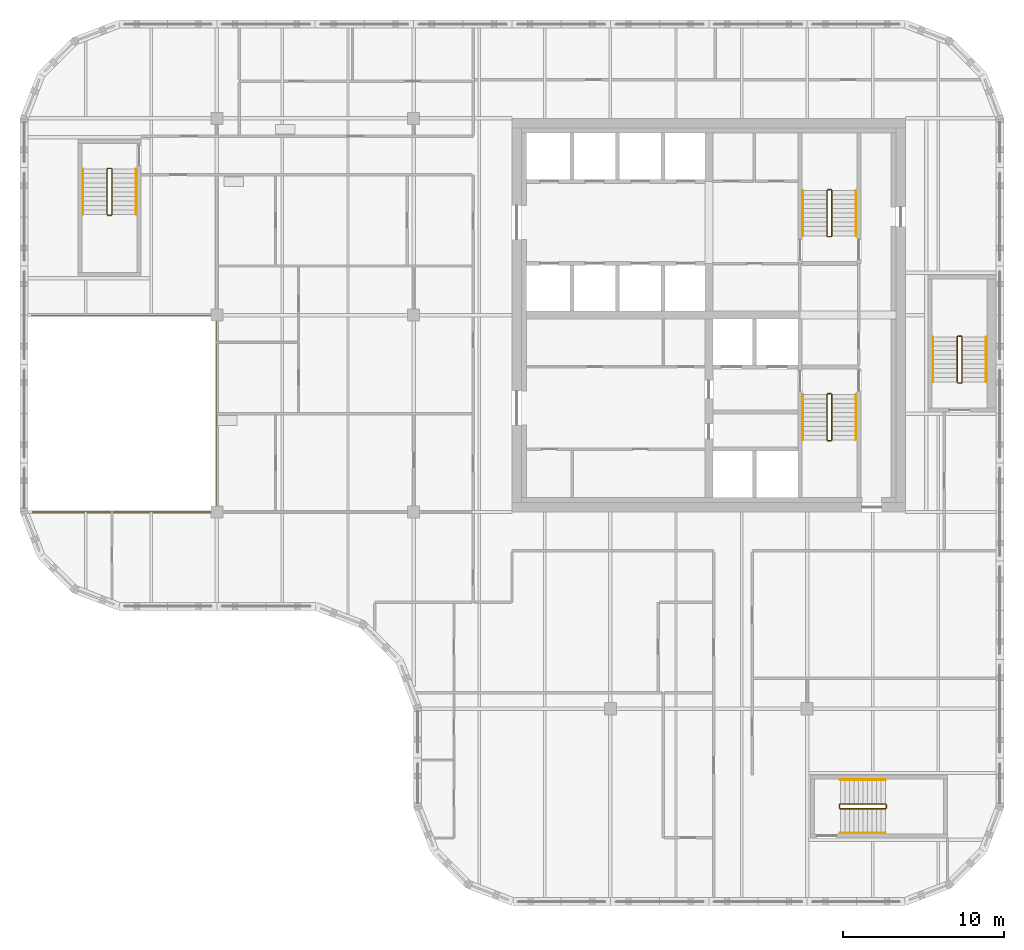
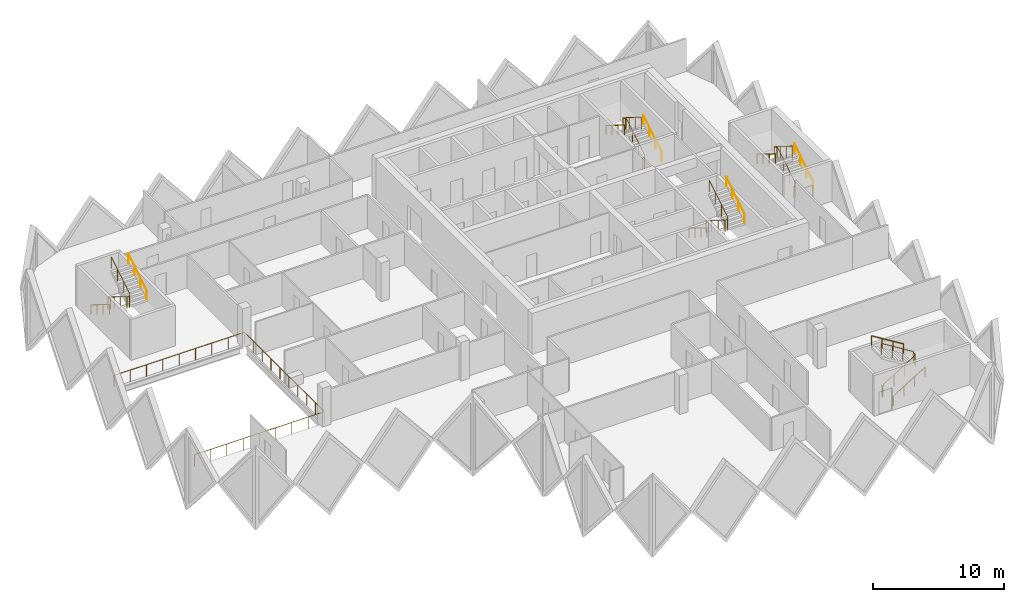
# One storey, part 11 of 12: 16 railings.
"""IFC4 building model written with IfcOpenShell, lengths in metres."""

from ifc_helpers import new_model, si_unit, direction, frame, origin, origin_2d, place, context, subcontext, project, spatial, circle, extrude, material, type_object, element, save


model = new_model("IFC4")

# Units and contexts
model_context = context("Model", 3, precision=1e-05, world=origin(), true_north=direction((0.0, 1.0)))
body_context = subcontext(model_context, "Body", "Model", "MODEL_VIEW")
ifc_project = project(units=[si_unit("LENGTHUNIT", "METRE"), si_unit("AREAUNIT", "SQUARE_METRE"), si_unit("VOLUMEUNIT", "CUBIC_METRE"), si_unit("PLANEANGLEUNIT", "RADIAN"), si_unit("MASSUNIT", "GRAM", prefix="KILO")], contexts=[model_context])

# Site, building, storey
site_placement = place(None, origin())
site = spatial("IfcSite", under=ifc_project, at=site_placement, CompositionType="ELEMENT")
building_placement = place(site_placement, origin())
building = spatial("IfcBuilding", under=site, at=building_placement, Name="Tessera Gate Towers", CompositionType="ELEMENT")
storey_placement = place(building_placement, frame((0.0, 0.0, 159.199951171875)))
storey = spatial("IfcBuildingStorey", under=building, at=storey_placement, Name="L39", CompositionType="ELEMENT", Elevation=159.199951171875)

# Railings
ifc_material_1 = material(Name="Toughened glass with stainless steel handrail", Category="steel")
railing_type_1 = type_object("IfcRailingType", Name="GUARD 1100 GLASS BALUSTRADE", PredefinedType="GUARDRAIL", material=ifc_material_1)
railing_1_placement = place(storey_placement, frame((0.750244140625, 24.39990234375, 0.0)))
element("IfcRailing", 1, at=railing_1_placement, inside=storey, type_object=railing_type_1, Name="Guard", PredefinedType="GUARDRAIL", context=body_context, shape_type="SweptSolid", body=[
    extrude(circle(Radius=0.02490234375, at=origin_2d()), frame((0.0, 0.0, 1.0751953125), z_axis=(1.0, 0.0, 0.0), x_axis=(0.0, 1.0, 0.0)), (0.0, 0.0, 1.0), 11.44970703125),
    extrude(circle(Radius=0.02490234375, at=origin_2d()), frame((11.44970703125, 0.0, 1.0751953125), z_axis=(0.0, 1.0, 0.0), x_axis=(-1.0, 0.0, 0.0)), (0.0, 0.0, 1.0), 12.2001953125),
    extrude(circle(Radius=0.02490234375, at=origin_2d()), frame((11.44970703125, 12.2001953125, 1.0751953125), z_axis=(-1.0, 0.0, 0.0), x_axis=(0.0, -1.0, 0.0)), (0.0, 0.0, 1.0), 11.5),
    extrude(circle(Radius=0.02490234375, at=origin_2d()), origin(), (0.0, 0.0, 1.0), 1.050048828125),
    extrude(circle(Radius=0.02490234375, at=origin_2d()), frame((1.43115234375, 0.0, 0.0)), (0.0, 0.0, 1.0), 1.050048828125),
    extrude(circle(Radius=0.02490234375, at=origin_2d()), frame((2.8623046875, 0.0, 0.0)), (0.0, 0.0, 1.0), 1.050048828125),
    extrude(circle(Radius=0.02490234375, at=origin_2d()), frame((4.293701171875, 0.0, 0.0)), (0.0, 0.0, 1.0), 1.050048828125),
    extrude(circle(Radius=0.02490234375, at=origin_2d()), frame((5.724853515625, 0.0, 0.0)), (0.0, 0.0, 1.0), 1.050048828125),
    extrude(circle(Radius=0.02490234375, at=origin_2d()), frame((7.156005859375, 0.0, 0.0)), (0.0, 0.0, 1.0), 1.050048828125),
    extrude(circle(Radius=0.02490234375, at=origin_2d()), frame((8.58740234375, 0.0, 0.0)), (0.0, 0.0, 1.0), 1.050048828125),
    extrude(circle(Radius=0.02490234375, at=origin_2d()), frame((10.0185546875, 0.0, 0.0)), (0.0, 0.0, 1.0), 1.050048828125),
    extrude(circle(Radius=0.02490234375, at=origin_2d()), frame((11.44970703125, 0.0, 0.0)), (0.0, 0.0, 1.0), 1.050048828125),
    extrude(circle(Radius=0.02490234375, at=origin_2d()), frame((11.44970703125, 1.35546875, 0.0)), (0.0, 0.0, 1.0), 1.050048828125),
    extrude(circle(Radius=0.02490234375, at=origin_2d()), frame((11.44970703125, 2.711181640625, 0.0)), (0.0, 0.0, 1.0), 1.050048828125),
    extrude(circle(Radius=0.02490234375, at=origin_2d()), frame((11.44970703125, 4.066650390625, 0.0)), (0.0, 0.0, 1.0), 1.050048828125),
    extrude(circle(Radius=0.02490234375, at=origin_2d()), frame((11.44970703125, 5.42236328125, 0.0)), (0.0, 0.0, 1.0), 1.050048828125),
    extrude(circle(Radius=0.02490234375, at=origin_2d()), frame((11.44970703125, 6.77783203125, 0.0)), (0.0, 0.0, 1.0), 1.050048828125),
    extrude(circle(Radius=0.02490234375, at=origin_2d()), frame((11.44970703125, 8.133544921875, 0.0)), (0.0, 0.0, 1.0), 1.050048828125),
    extrude(circle(Radius=0.02490234375, at=origin_2d()), frame((11.44970703125, 9.489013671875, 0.0)), (0.0, 0.0, 1.0), 1.050048828125),
    extrude(circle(Radius=0.02490234375, at=origin_2d()), frame((11.44970703125, 10.8447265625, 0.0)), (0.0, 0.0, 1.0), 1.050048828125),
    extrude(circle(Radius=0.02490234375, at=origin_2d()), frame((11.44970703125, 12.2001953125, 0.0)), (0.0, 0.0, 1.0), 1.050048828125),
    extrude(circle(Radius=0.02490234375, at=origin_2d()), frame((10.01220703125, 12.2001953125, 0.0)), (0.0, 0.0, 1.0), 1.050048828125),
    extrude(circle(Radius=0.02490234375, at=origin_2d()), frame((8.57470703125, 12.2001953125, 0.0)), (0.0, 0.0, 1.0), 1.050048828125),
    extrude(circle(Radius=0.02490234375, at=origin_2d()), frame((7.13720703125, 12.2001953125, 0.0)), (0.0, 0.0, 1.0), 1.050048828125),
    extrude(circle(Radius=0.02490234375, at=origin_2d()), frame((5.69970703125, 12.2001953125, 0.0)), (0.0, 0.0, 1.0), 1.050048828125),
    extrude(circle(Radius=0.02490234375, at=origin_2d()), frame((4.26220703125, 12.2001953125, 0.0)), (0.0, 0.0, 1.0), 1.050048828125),
    extrude(circle(Radius=0.02490234375, at=origin_2d()), frame((2.82470703125, 12.2001953125, 0.0)), (0.0, 0.0, 1.0), 1.050048828125),
    extrude(circle(Radius=0.02490234375, at=origin_2d()), frame((1.38720703125, 12.2001953125, 0.0)), (0.0, 0.0, 1.0), 1.050048828125),
    extrude(circle(Radius=0.02490234375, at=origin_2d()), frame((-0.05029296875, 12.2001953125, 0.0)), (0.0, 0.0, 1.0), 1.050048828125),
])
ifc_material_2 = material(Name="Steel 350W", Category="steel")
railing_type_2 = type_object("IfcRailingType", Name="STAIR GUARD 1100", PredefinedType="GUARDRAIL", material=ifc_material_2)
railing_2_placement = place(storey_placement, frame((50.27490234375, 31.72509765625, 0.0)))
element("IfcRailing", 2, at=railing_2_placement, inside=storey, type_object=railing_type_2, Name="L39 ST1 stair guard 1", PredefinedType="GUARDRAIL", context=body_context, shape_type="SweptSolid", body=[
    extrude(circle(Radius=0.02392578125, at=origin_2d()), frame((0.0, 0.0, 1.076171875), z_axis=(-1.0, 0.0, 0.0), x_axis=(0.0, -1.0, 0.0)), (0.0, 0.0, 1.0), 0.199951171875),
    extrude(circle(Radius=0.02392578125, at=origin_2d()), frame((-0.199951171875, 0.0, 1.076171875), z_axis=(-0.267953482034, -0.267953482034, 0.925419830635), x_axis=(0.707106781187, -0.707106781187, 0.0)), (0.0, 0.0, 1.0), 0.186767578125),
    extrude(circle(Radius=0.02392578125, at=origin_2d()), frame((-0.25, -0.050048828125, 1.2490234375), z_axis=(0.0, -0.851089632645, 0.525020415988), x_axis=(1.0, 0.0, 0.0)), (0.0, 0.0, 1.0), 3.2900390625),
    extrude(circle(Radius=0.02392578125, at=origin_2d()), frame((-0.25, -2.85009765625, 2.97607421875), z_axis=(0.707106781187, -0.707106781187, 0.0), x_axis=(0.707106781187, 0.707106781187, 0.0)), (0.0, 0.0, 1.0), 0.07080078125),
    extrude(circle(Radius=0.02392578125, at=origin_2d()), frame((-0.199951171875, -2.900146484375, 2.97607421875), z_axis=(1.0, 0.0, 0.0), x_axis=(0.0, 1.0, 0.0)), (0.0, 0.0, 1.0), 0.199951171875),
    extrude(circle(Radius=0.02392578125, at=origin_2d()), frame((0.0, -2.900146484375, 2.97607421875), z_axis=(0.268277960024, 0.268277960024, 0.925231793839), x_axis=(-0.707106781187, 0.707106781187, 0.0)), (0.0, 0.0, 1.0), 0.1865234375),
    extrude(circle(Radius=0.02392578125, at=origin_2d()), frame((0.050048828125, -2.85009765625, 3.14892578125), z_axis=(0.0, 0.851089632645, 0.525020415988), x_axis=(-1.0, 0.0, 0.0)), (0.0, 0.0, 1.0), 3.2900390625),
    extrude(circle(Radius=0.02099609375, at=origin_2d()), origin(), (0.0, 0.0, 1.0), 1.052001953125),
    extrude(circle(Radius=0.02099609375, at=origin_2d()), frame((-0.199951171875, 0.0, 0.0)), (0.0, 0.0, 1.0), 1.052001953125),
    extrude(circle(Radius=0.02099609375, at=origin_2d()), frame((-0.25, -0.050048828125, 0.1728515625)), (0.0, 0.0, 1.0), 1.052001953125),
    extrude(circle(Radius=0.02099609375, at=origin_2d()), frame((-0.25, -0.9833984375, 0.74853515625)), (0.0, 0.0, 1.0), 1.052001953125),
    extrude(circle(Radius=0.02099609375, at=origin_2d()), frame((-0.25, -1.916748046875, 1.324462890625)), (0.0, 0.0, 1.0), 1.052001953125),
    extrude(circle(Radius=0.02099609375, at=origin_2d()), frame((-0.25, -2.85009765625, 1.900146484375)), (0.0, 0.0, 1.0), 1.052001953125),
    extrude(circle(Radius=0.02099609375, at=origin_2d()), frame((-0.199951171875, -2.900146484375, 1.900146484375)), (0.0, 0.0, 1.0), 1.052001953125),
    extrude(circle(Radius=0.02099609375, at=origin_2d()), frame((0.0, -2.900146484375, 1.900146484375)), (0.0, 0.0, 1.0), 1.052001953125),
    extrude(circle(Radius=0.02099609375, at=origin_2d()), frame((0.050048828125, -2.85009765625, 2.07275390625)), (0.0, 0.0, 1.0), 1.052001953125),
    extrude(circle(Radius=0.02099609375, at=origin_2d()), frame((0.050048828125, -1.916748046875, 2.6484375)), (0.0, 0.0, 1.0), 1.052001953125),
    extrude(circle(Radius=0.02099609375, at=origin_2d()), frame((0.050048828125, -0.9833984375, 3.224365234375)), (0.0, 0.0, 1.0), 1.052001953125),
    extrude(circle(Radius=0.02099609375, at=origin_2d()), frame((0.050048828125, -0.050048828125, 3.800048828125)), (0.0, 0.0, 1.0), 1.052001953125),
])
railing_3_placement = place(storey_placement, frame((50.074951171875, 41.47509765625, 0.0)))
element("IfcRailing", 3, at=railing_3_placement, inside=storey, type_object=railing_type_2, Name="L39 ST2 stair guard 1", PredefinedType="GUARDRAIL", context=body_context, shape_type="SweptSolid", body=[
    extrude(circle(Radius=0.02392578125, at=origin_2d()), frame((0.0, 0.0, 1.076171875), z_axis=(1.0, 0.0, 0.0), x_axis=(0.0, 1.0, 0.0)), (0.0, 0.0, 1.0), 0.199951171875),
    extrude(circle(Radius=0.02392578125, at=origin_2d()), frame((0.199951171875, 0.0, 1.076171875), z_axis=(0.268047150085, 0.266739603011, 0.925743328097), x_axis=(-0.705375805398, 0.708833529934, 0.0)), (0.0, 0.0, 1.0), 0.186767578125),
    extrude(circle(Radius=0.02392578125, at=origin_2d()), frame((0.25, 0.0498046875, 1.2490234375), z_axis=(0.0, 0.851089632645, 0.525020415988), x_axis=(-1.0, 0.0, 0.0)), (0.0, 0.0, 1.0), 3.2900390625),
    extrude(circle(Radius=0.02392578125, at=origin_2d()), frame((0.25, 2.849853515625, 2.97607421875), z_axis=(-0.707106781187, 0.707106781187, 0.0), x_axis=(-0.707106781187, -0.707106781187, 0.0)), (0.0, 0.0, 1.0), 0.07080078125),
    extrude(circle(Radius=0.02392578125, at=origin_2d()), frame((0.199951171875, 2.89990234375, 2.97607421875), z_axis=(-1.0, 0.0, 0.0), x_axis=(0.0, -1.0, 0.0)), (0.0, 0.0, 1.0), 0.199951171875),
    extrude(circle(Radius=0.02392578125, at=origin_2d()), frame((0.0, 2.89990234375, 2.97607421875), z_axis=(-0.268277960024, -0.268277960024, 0.925231793839), x_axis=(0.707106781187, -0.707106781187, 0.0)), (0.0, 0.0, 1.0), 0.1865234375),
    extrude(circle(Radius=0.02392578125, at=origin_2d()), frame((-0.050048828125, 2.849853515625, 3.14892578125), z_axis=(0.0, -0.851089632645, 0.525020415988), x_axis=(1.0, 0.0, 0.0)), (0.0, 0.0, 1.0), 3.2900390625),
    extrude(circle(Radius=0.02099609375, at=origin_2d()), origin(), (0.0, 0.0, 1.0), 1.052001953125),
    extrude(circle(Radius=0.02099609375, at=origin_2d()), frame((0.199951171875, 0.0, 0.0)), (0.0, 0.0, 1.0), 1.052001953125),
    extrude(circle(Radius=0.02099609375, at=origin_2d()), frame((0.25, 0.0498046875, 0.1728515625)), (0.0, 0.0, 1.0), 1.052001953125),
    extrude(circle(Radius=0.02099609375, at=origin_2d()), frame((0.25, 0.983154296875, 0.74853515625)), (0.0, 0.0, 1.0), 1.052001953125),
    extrude(circle(Radius=0.02099609375, at=origin_2d()), frame((0.25, 1.91650390625, 1.324462890625)), (0.0, 0.0, 1.0), 1.052001953125),
    extrude(circle(Radius=0.02099609375, at=origin_2d()), frame((0.25, 2.849853515625, 1.900146484375)), (0.0, 0.0, 1.0), 1.052001953125),
    extrude(circle(Radius=0.02099609375, at=origin_2d()), frame((0.199951171875, 2.89990234375, 1.900146484375)), (0.0, 0.0, 1.0), 1.052001953125),
    extrude(circle(Radius=0.02099609375, at=origin_2d()), frame((0.0, 2.89990234375, 1.900146484375)), (0.0, 0.0, 1.0), 1.052001953125),
    extrude(circle(Radius=0.02099609375, at=origin_2d()), frame((-0.050048828125, 2.849853515625, 2.07275390625)), (0.0, 0.0, 1.0), 1.052001953125),
    extrude(circle(Radius=0.02099609375, at=origin_2d()), frame((-0.050048828125, 1.91650390625, 2.6484375)), (0.0, 0.0, 1.0), 1.052001953125),
    extrude(circle(Radius=0.02099609375, at=origin_2d()), frame((-0.050048828125, 0.983154296875, 3.224365234375)), (0.0, 0.0, 1.0), 1.052001953125),
    extrude(circle(Radius=0.02099609375, at=origin_2d()), frame((-0.050048828125, 0.0498046875, 3.800048828125)), (0.0, 0.0, 1.0), 1.052001953125),
])
railing_4_placement = place(storey_placement, frame((5.64990234375, 45.699951171875, 0.0)))
element("IfcRailing", 4, at=railing_4_placement, inside=storey, type_object=railing_type_2, Name="L39 ST3 stair guard 1", PredefinedType="GUARDRAIL", context=body_context, shape_type="SweptSolid", body=[
    extrude(circle(Radius=0.02392578125, at=origin_2d()), frame((0.0, 0.0, 1.076171875), z_axis=(-1.0, 0.0, 0.0), x_axis=(0.0, -1.0, 0.0)), (0.0, 0.0, 1.0), 0.199951171875),
    extrude(circle(Radius=0.02392578125, at=origin_2d()), frame((-0.199951171875, 0.0, 1.076171875), z_axis=(-0.267953482034, -0.267953482034, 0.925419830635), x_axis=(0.707106781187, -0.707106781187, 0.0)), (0.0, 0.0, 1.0), 0.186767578125),
    extrude(circle(Radius=0.02392578125, at=origin_2d()), frame((-0.25, -0.050048828125, 1.2490234375), z_axis=(0.0, -0.851069175582, 0.525053576669), x_axis=(1.0, 0.0, 0.0)), (0.0, 0.0, 1.0), 3.289794921875),
    extrude(circle(Radius=0.02392578125, at=origin_2d()), frame((-0.25, -2.849853515625, 2.97607421875), z_axis=(0.707106781187, -0.707106781187, 0.0), x_axis=(0.707106781187, 0.707106781187, 0.0)), (0.0, 0.0, 1.0), 0.07080078125),
    extrude(circle(Radius=0.02392578125, at=origin_2d()), frame((-0.199951171875, -2.89990234375, 2.97607421875), z_axis=(1.0, 0.0, 0.0), x_axis=(0.0, 1.0, 0.0)), (0.0, 0.0, 1.0), 0.199951171875),
    extrude(circle(Radius=0.02392578125, at=origin_2d()), frame((0.0, -2.89990234375, 2.97607421875), z_axis=(0.268277960024, 0.268277960024, 0.925231793839), x_axis=(-0.707106781187, 0.707106781187, 0.0)), (0.0, 0.0, 1.0), 0.1865234375),
    extrude(circle(Radius=0.02392578125, at=origin_2d()), frame((0.050048828125, -2.849853515625, 3.14892578125), z_axis=(0.0, 0.851069175582, 0.525053576669), x_axis=(-1.0, 0.0, 0.0)), (0.0, 0.0, 1.0), 3.289794921875),
    extrude(circle(Radius=0.02099609375, at=origin_2d()), origin(), (0.0, 0.0, 1.0), 1.052001953125),
    extrude(circle(Radius=0.02099609375, at=origin_2d()), frame((-0.199951171875, 0.0, 0.0)), (0.0, 0.0, 1.0), 1.052001953125),
    extrude(circle(Radius=0.02099609375, at=origin_2d()), frame((-0.25, -0.050048828125, 0.1728515625)), (0.0, 0.0, 1.0), 1.052001953125),
    extrude(circle(Radius=0.02099609375, at=origin_2d()), frame((-0.25, -0.9833984375, 0.74853515625)), (0.0, 0.0, 1.0), 1.052001953125),
    extrude(circle(Radius=0.02099609375, at=origin_2d()), frame((-0.25, -1.91650390625, 1.324462890625)), (0.0, 0.0, 1.0), 1.052001953125),
    extrude(circle(Radius=0.02099609375, at=origin_2d()), frame((-0.25, -2.849853515625, 1.900146484375)), (0.0, 0.0, 1.0), 1.052001953125),
    extrude(circle(Radius=0.02099609375, at=origin_2d()), frame((-0.199951171875, -2.89990234375, 1.900146484375)), (0.0, 0.0, 1.0), 1.052001953125),
    extrude(circle(Radius=0.02099609375, at=origin_2d()), frame((0.0, -2.89990234375, 1.900146484375)), (0.0, 0.0, 1.0), 1.052001953125),
    extrude(circle(Radius=0.02099609375, at=origin_2d()), frame((0.050048828125, -2.849853515625, 2.07275390625)), (0.0, 0.0, 1.0), 1.052001953125),
    extrude(circle(Radius=0.02099609375, at=origin_2d()), frame((0.050048828125, -1.91650390625, 2.6484375)), (0.0, 0.0, 1.0), 1.052001953125),
    extrude(circle(Radius=0.02099609375, at=origin_2d()), frame((0.050048828125, -0.9833984375, 3.224365234375)), (0.0, 0.0, 1.0), 1.052001953125),
    extrude(circle(Radius=0.02099609375, at=origin_2d()), frame((0.050048828125, -0.050048828125, 3.800048828125)), (0.0, 0.0, 1.0), 1.052001953125),
])
railing_5_placement = place(storey_placement, frame((50.800048828125, 6.25, 0.0)))
element("IfcRailing", 5, at=railing_5_placement, inside=storey, type_object=railing_type_2, Name="L39 ST4 stair guard 1", PredefinedType="GUARDRAIL", context=body_context, shape_type="SweptSolid", body=[
    extrude(circle(Radius=0.02392578125, at=origin_2d()), frame((0.0, 0.0, 1.076171875), z_axis=(0.0, -1.0, 0.0), x_axis=(1.0, 0.0, 0.0)), (0.0, 0.0, 1.0), 0.199951171875),
    extrude(circle(Radius=0.02392578125, at=origin_2d()), frame((0.0, -0.199951171875, 1.076171875), z_axis=(0.267953482034, -0.267953482034, 0.925419830635), x_axis=(0.707106781187, 0.707106781187, 0.0)), (0.0, 0.0, 1.0), 0.186767578125),
    extrude(circle(Radius=0.02392578125, at=origin_2d()), frame((0.050048828125, -0.25, 1.2490234375), z_axis=(0.851069175582, 0.0, 0.525053576669), x_axis=(0.0, 1.0, 0.0)), (0.0, 0.0, 1.0), 3.289794921875),
    extrude(circle(Radius=0.02392578125, at=origin_2d()), frame((2.849853515625, -0.25, 2.97607421875), z_axis=(0.707106781187, 0.707106781187, 0.0), x_axis=(-0.707106781187, 0.707106781187, 0.0)), (0.0, 0.0, 1.0), 0.07080078125),
    extrude(circle(Radius=0.02392578125, at=origin_2d()), frame((2.89990234375, -0.199951171875, 2.97607421875), z_axis=(0.0, 1.0, 0.0), x_axis=(-1.0, 0.0, 0.0)), (0.0, 0.0, 1.0), 0.199951171875),
    extrude(circle(Radius=0.02392578125, at=origin_2d()), frame((2.89990234375, 0.0, 2.97607421875), z_axis=(-0.268277960024, 0.268277960024, 0.925231793839), x_axis=(-0.707106781187, -0.707106781187, 0.0)), (0.0, 0.0, 1.0), 0.1865234375),
    extrude(circle(Radius=0.02392578125, at=origin_2d()), frame((2.849853515625, 0.050048828125, 3.14892578125), z_axis=(-0.851069175582, 0.0, 0.525053576669), x_axis=(0.0, -1.0, 0.0)), (0.0, 0.0, 1.0), 3.289794921875),
    extrude(circle(Radius=0.02099609375, at=origin_2d()), origin(), (0.0, 0.0, 1.0), 1.052001953125),
    extrude(circle(Radius=0.02099609375, at=origin_2d()), frame((0.0, -0.199951171875, 0.0)), (0.0, 0.0, 1.0), 1.052001953125),
    extrude(circle(Radius=0.02099609375, at=origin_2d()), frame((0.050048828125, -0.25, 0.1728515625)), (0.0, 0.0, 1.0), 1.052001953125),
    extrude(circle(Radius=0.02099609375, at=origin_2d()), frame((0.9833984375, -0.25, 0.74853515625)), (0.0, 0.0, 1.0), 1.052001953125),
    extrude(circle(Radius=0.02099609375, at=origin_2d()), frame((1.91650390625, -0.25, 1.324462890625)), (0.0, 0.0, 1.0), 1.052001953125),
    extrude(circle(Radius=0.02099609375, at=origin_2d()), frame((2.849853515625, -0.25, 1.900146484375)), (0.0, 0.0, 1.0), 1.052001953125),
    extrude(circle(Radius=0.02099609375, at=origin_2d()), frame((2.89990234375, -0.199951171875, 1.900146484375)), (0.0, 0.0, 1.0), 1.052001953125),
    extrude(circle(Radius=0.02099609375, at=origin_2d()), frame((2.89990234375, 0.0, 1.900146484375)), (0.0, 0.0, 1.0), 1.052001953125),
    extrude(circle(Radius=0.02099609375, at=origin_2d()), frame((2.849853515625, 0.050048828125, 2.07275390625)), (0.0, 0.0, 1.0), 1.052001953125),
    extrude(circle(Radius=0.02099609375, at=origin_2d()), frame((1.91650390625, 0.050048828125, 2.6484375)), (0.0, 0.0, 1.0), 1.052001953125),
    extrude(circle(Radius=0.02099609375, at=origin_2d()), frame((0.9833984375, 0.050048828125, 3.224365234375)), (0.0, 0.0, 1.0), 1.052001953125),
    extrude(circle(Radius=0.02099609375, at=origin_2d()), frame((0.050048828125, 0.050048828125, 3.800048828125)), (0.0, 0.0, 1.0), 1.052001953125),
])
railing_6_placement = place(storey_placement, frame((58.14990234375, 32.39990234375, 0.0)))
element("IfcRailing", 6, at=railing_6_placement, inside=storey, type_object=railing_type_2, Name="L39 ST5 stair guard 1", PredefinedType="GUARDRAIL", context=body_context, shape_type="SweptSolid", body=[
    extrude(circle(Radius=0.02392578125, at=origin_2d()), frame((0.0, 0.0, 1.076171875), z_axis=(1.0, 0.0, 0.0), x_axis=(0.0, 1.0, 0.0)), (0.0, 0.0, 1.0), 0.2001953125),
    extrude(circle(Radius=0.02392578125, at=origin_2d()), frame((0.2001953125, 0.0, 1.076171875), z_axis=(0.266739603011, 0.268047150085, 0.925743328097), x_axis=(-0.708833529934, 0.705375805398, 0.0)), (0.0, 0.0, 1.0), 0.186767578125),
    extrude(circle(Radius=0.02392578125, at=origin_2d()), frame((0.25, 0.050048828125, 1.2490234375), z_axis=(0.0, 0.851089632645, 0.525020415988), x_axis=(-1.0, 0.0, 0.0)), (0.0, 0.0, 1.0), 3.2900390625),
    extrude(circle(Radius=0.02392578125, at=origin_2d()), frame((0.25, 2.85009765625, 2.97607421875), z_axis=(-0.705375805398, 0.708833529934, 0.0), x_axis=(-0.708833529934, -0.705375805398, 0.0)), (0.0, 0.0, 1.0), 0.070556640625),
    extrude(circle(Radius=0.02392578125, at=origin_2d()), frame((0.2001953125, 2.900146484375, 2.97607421875), z_axis=(-1.0, 0.0, 0.0), x_axis=(0.0, -1.0, 0.0)), (0.0, 0.0, 1.0), 0.2001953125),
    extrude(circle(Radius=0.02392578125, at=origin_2d()), frame((0.0, 2.900146484375, 2.97607421875), z_axis=(-0.267062837333, -0.268371968888, 0.925556009775), x_axis=(0.708833529934, -0.705375805398, 0.0)), (0.0, 0.0, 1.0), 0.1865234375),
    extrude(circle(Radius=0.02392578125, at=origin_2d()), frame((-0.0498046875, 2.85009765625, 3.14892578125), z_axis=(0.0, -0.851089632645, 0.525020415988), x_axis=(1.0, 0.0, 0.0)), (0.0, 0.0, 1.0), 3.2900390625),
    extrude(circle(Radius=0.02099609375, at=origin_2d()), origin(), (0.0, 0.0, 1.0), 1.052001953125),
    extrude(circle(Radius=0.02099609375, at=origin_2d()), frame((0.2001953125, 0.0, 0.0)), (0.0, 0.0, 1.0), 1.052001953125),
    extrude(circle(Radius=0.02099609375, at=origin_2d()), frame((0.25, 0.050048828125, 0.1728515625)), (0.0, 0.0, 1.0), 1.052001953125),
    extrude(circle(Radius=0.02099609375, at=origin_2d()), frame((0.25, 0.9833984375, 0.74853515625)), (0.0, 0.0, 1.0), 1.052001953125),
    extrude(circle(Radius=0.02099609375, at=origin_2d()), frame((0.25, 1.916748046875, 1.324462890625)), (0.0, 0.0, 1.0), 1.052001953125),
    extrude(circle(Radius=0.02099609375, at=origin_2d()), frame((0.25, 2.85009765625, 1.900146484375)), (0.0, 0.0, 1.0), 1.052001953125),
    extrude(circle(Radius=0.02099609375, at=origin_2d()), frame((0.2001953125, 2.900146484375, 1.900146484375)), (0.0, 0.0, 1.0), 1.052001953125),
    extrude(circle(Radius=0.02099609375, at=origin_2d()), frame((0.0, 2.900146484375, 1.900146484375)), (0.0, 0.0, 1.0), 1.052001953125),
    extrude(circle(Radius=0.02099609375, at=origin_2d()), frame((-0.0498046875, 2.85009765625, 2.07275390625)), (0.0, 0.0, 1.0), 1.052001953125),
    extrude(circle(Radius=0.02099609375, at=origin_2d()), frame((-0.0498046875, 1.916748046875, 2.6484375)), (0.0, 0.0, 1.0), 1.052001953125),
    extrude(circle(Radius=0.02099609375, at=origin_2d()), frame((-0.0498046875, 0.9833984375, 3.224365234375)), (0.0, 0.0, 1.0), 1.052001953125),
    extrude(circle(Radius=0.02099609375, at=origin_2d()), frame((-0.0498046875, 0.050048828125, 3.800048828125)), (0.0, 0.0, 1.0), 1.052001953125),
])
ifc_material_3 = material(Name="Steel 350W", Category="steel")
railing_type_3 = type_object("IfcRailingType", Name="STAIR HANDRAIL 900", PredefinedType="HANDRAIL", material=ifc_material_3)
railing_7_placement = place(storey_placement, frame((48.52490234375, 31.675048828125, 0.1728515625)))
element("IfcRailing", 7, at=railing_7_placement, inside=storey, type_object=railing_type_3, Name="L39 ST1 stair handrail 1", PredefinedType="HANDRAIL", context=body_context, shape_type="SweptSolid", body=[
    extrude(circle(Radius=0.02392578125, at=origin_2d()), frame((0.0, 0.0, 0.8759765625), z_axis=(0.0, -0.851089632645, 0.525020415988), x_axis=(1.0, 0.0, 0.0)), (0.0, 0.0, 1.0), 3.2900390625),
    extrude(circle(Radius=0.02099609375, at=origin_2d()), origin(), (0.0, 0.0, 1.0), 0.851806640625),
    extrude(circle(Radius=0.02099609375, at=origin_2d()), frame((0.0, -0.933349609375, 0.57568359375)), (0.0, 0.0, 1.0), 0.851806640625),
    extrude(circle(Radius=0.02099609375, at=origin_2d()), frame((0.0, -1.86669921875, 1.151611328125)), (0.0, 0.0, 1.0), 0.851806640625),
    extrude(circle(Radius=0.02099609375, at=origin_2d()), frame((0.0, -2.800048828125, 1.727294921875)), (0.0, 0.0, 1.0), 0.851806640625),
])
for number, where, name in (
    (8, (51.824951171875, 28.875, 2.07275390625), "L39 ST1 stair handrail 2"),
    (9, (51.824951171875, 41.52490234375, 0.1728515625), "L39 ST2 stair handrail 1"),
):
    element("IfcRailing", number, at=place(storey_placement, frame(where)), inside=storey, type_object=railing_type_3, Name=name, PredefinedType="HANDRAIL", context=body_context, shape_type="SweptSolid", body=[
        extrude(circle(Radius=0.02392578125, at=origin_2d()), frame((0.0, 0.0, 0.8759765625), z_axis=(0.0, 0.851089632645, 0.525020415988), x_axis=(-1.0, 0.0, 0.0)), (0.0, 0.0, 1.0), 3.2900390625),
        extrude(circle(Radius=0.02099609375, at=origin_2d()), origin(), (0.0, 0.0, 1.0), 0.851806640625),
        extrude(circle(Radius=0.02099609375, at=origin_2d()), frame((0.0, 0.933349609375, 0.57568359375)), (0.0, 0.0, 1.0), 0.851806640625),
        extrude(circle(Radius=0.02099609375, at=origin_2d()), frame((0.0, 1.86669921875, 1.151611328125)), (0.0, 0.0, 1.0), 0.851806640625),
        extrude(circle(Radius=0.02099609375, at=origin_2d()), frame((0.0, 2.800048828125, 1.727294921875)), (0.0, 0.0, 1.0), 0.851806640625),
    ])
railing_8_placement = place(storey_placement, frame((48.52490234375, 44.324951171875, 2.07275390625)))
element("IfcRailing", 10, at=railing_8_placement, inside=storey, type_object=railing_type_3, Name="L39 ST2 stair handrail 2", PredefinedType="HANDRAIL", context=body_context, shape_type="SweptSolid", body=[
    extrude(circle(Radius=0.02392578125, at=origin_2d()), frame((0.0, 0.0, 0.8759765625), z_axis=(0.0, -0.851089632645, 0.525020415988), x_axis=(1.0, 0.0, 0.0)), (0.0, 0.0, 1.0), 3.2900390625),
    extrude(circle(Radius=0.02099609375, at=origin_2d()), origin(), (0.0, 0.0, 1.0), 0.851806640625),
    extrude(circle(Radius=0.02099609375, at=origin_2d()), frame((0.0, -0.933349609375, 0.57568359375)), (0.0, 0.0, 1.0), 0.851806640625),
    extrude(circle(Radius=0.02099609375, at=origin_2d()), frame((0.0, -1.86669921875, 1.151611328125)), (0.0, 0.0, 1.0), 0.851806640625),
    extrude(circle(Radius=0.02099609375, at=origin_2d()), frame((0.0, -2.800048828125, 1.727294921875)), (0.0, 0.0, 1.0), 0.851806640625),
])
railing_9_placement = place(storey_placement, frame((3.89990234375, 45.64990234375, 0.1728515625)))
element("IfcRailing", 11, at=railing_9_placement, inside=storey, type_object=railing_type_3, Name="L39 ST3 stair handrail 1", PredefinedType="HANDRAIL", context=body_context, shape_type="SweptSolid", body=[
    extrude(circle(Radius=0.02392578125, at=origin_2d()), frame((0.0, 0.0, 0.8759765625), z_axis=(0.0, -0.851069175582, 0.525053576669), x_axis=(1.0, 0.0, 0.0)), (0.0, 0.0, 1.0), 3.289794921875),
    extrude(circle(Radius=0.02099609375, at=origin_2d()), origin(), (0.0, 0.0, 1.0), 0.851806640625),
    extrude(circle(Radius=0.02099609375, at=origin_2d()), frame((0.0, -0.933349609375, 0.57568359375)), (0.0, 0.0, 1.0), 0.851806640625),
    extrude(circle(Radius=0.02099609375, at=origin_2d()), frame((0.0, -1.866455078125, 1.151611328125)), (0.0, 0.0, 1.0), 0.851806640625),
    extrude(circle(Radius=0.02099609375, at=origin_2d()), frame((0.0, -2.7998046875, 1.727294921875)), (0.0, 0.0, 1.0), 0.851806640625),
])
railing_10_placement = place(storey_placement, frame((7.199951171875, 42.85009765625, 2.07275390625)))
element("IfcRailing", 12, at=railing_10_placement, inside=storey, type_object=railing_type_3, Name="L39 ST3 stair handrail 2", PredefinedType="HANDRAIL", context=body_context, shape_type="SweptSolid", body=[
    extrude(circle(Radius=0.02392578125, at=origin_2d()), frame((0.0, 0.0, 0.8759765625), z_axis=(0.0, 0.851069175582, 0.525053576669), x_axis=(-1.0, 0.0, 0.0)), (0.0, 0.0, 1.0), 3.289794921875),
    extrude(circle(Radius=0.02099609375, at=origin_2d()), origin(), (0.0, 0.0, 1.0), 0.851806640625),
    extrude(circle(Radius=0.02099609375, at=origin_2d()), frame((0.0, 0.933349609375, 0.57568359375)), (0.0, 0.0, 1.0), 0.851806640625),
    extrude(circle(Radius=0.02099609375, at=origin_2d()), frame((0.0, 1.866455078125, 1.151611328125)), (0.0, 0.0, 1.0), 0.851806640625),
    extrude(circle(Radius=0.02099609375, at=origin_2d()), frame((0.0, 2.7998046875, 1.727294921875)), (0.0, 0.0, 1.0), 0.851806640625),
])
railing_11_placement = place(storey_placement, frame((50.85009765625, 4.5, 0.1728515625)))
element("IfcRailing", 13, at=railing_11_placement, inside=storey, type_object=railing_type_3, Name="L39 ST4 stair handrail 1", PredefinedType="HANDRAIL", context=body_context, shape_type="SweptSolid", body=[
    extrude(circle(Radius=0.02392578125, at=origin_2d()), frame((0.0, 0.0, 0.8759765625), z_axis=(0.851069175582, 0.0, 0.525053576669), x_axis=(0.0, 1.0, 0.0)), (0.0, 0.0, 1.0), 3.289794921875),
    extrude(circle(Radius=0.02099609375, at=origin_2d()), origin(), (0.0, 0.0, 1.0), 0.851806640625),
    extrude(circle(Radius=0.02099609375, at=origin_2d()), frame((0.933349609375, 0.0, 0.57568359375)), (0.0, 0.0, 1.0), 0.851806640625),
    extrude(circle(Radius=0.02099609375, at=origin_2d()), frame((1.866455078125, 0.0, 1.151611328125)), (0.0, 0.0, 1.0), 0.851806640625),
    extrude(circle(Radius=0.02099609375, at=origin_2d()), frame((2.7998046875, 0.0, 1.727294921875)), (0.0, 0.0, 1.0), 0.851806640625),
])
railing_12_placement = place(storey_placement, frame((53.64990234375, 7.800048828125, 2.07275390625)))
element("IfcRailing", 14, at=railing_12_placement, inside=storey, type_object=railing_type_3, Name="L39 ST4 stair handrail 2", PredefinedType="HANDRAIL", context=body_context, shape_type="SweptSolid", body=[
    extrude(circle(Radius=0.02392578125, at=origin_2d()), frame((0.0, 0.0, 0.8759765625), z_axis=(-0.851069175582, 0.0, 0.525053576669), x_axis=(0.0, -1.0, 0.0)), (0.0, 0.0, 1.0), 3.289794921875),
    extrude(circle(Radius=0.02099609375, at=origin_2d()), origin(), (0.0, 0.0, 1.0), 0.851806640625),
    extrude(circle(Radius=0.02099609375, at=origin_2d()), frame((-0.933349609375, 0.0, 0.57568359375)), (0.0, 0.0, 1.0), 0.851806640625),
    extrude(circle(Radius=0.02099609375, at=origin_2d()), frame((-1.866455078125, 0.0, 1.151611328125)), (0.0, 0.0, 1.0), 0.851806640625),
    extrude(circle(Radius=0.02099609375, at=origin_2d()), frame((-2.7998046875, 0.0, 1.727294921875)), (0.0, 0.0, 1.0), 0.851806640625),
])
railing_13_placement = place(storey_placement, frame((59.89990234375, 32.449951171875, 0.1728515625)))
element("IfcRailing", 15, at=railing_13_placement, inside=storey, type_object=railing_type_3, Name="L39 ST5 stair handrail 1", PredefinedType="HANDRAIL", context=body_context, shape_type="SweptSolid", body=[
    extrude(circle(Radius=0.02392578125, at=origin_2d()), frame((0.0, 0.0, 0.8759765625), z_axis=(0.0, 0.851089632645, 0.525020415988), x_axis=(-1.0, 0.0, 0.0)), (0.0, 0.0, 1.0), 3.2900390625),
    extrude(circle(Radius=0.02099609375, at=origin_2d()), origin(), (0.0, 0.0, 1.0), 0.851806640625),
    extrude(circle(Radius=0.02099609375, at=origin_2d()), frame((0.0, 0.933349609375, 0.57568359375)), (0.0, 0.0, 1.0), 0.851806640625),
    extrude(circle(Radius=0.02099609375, at=origin_2d()), frame((0.0, 1.86669921875, 1.151611328125)), (0.0, 0.0, 1.0), 0.851806640625),
    extrude(circle(Radius=0.02099609375, at=origin_2d()), frame((0.0, 2.800048828125, 1.727294921875)), (0.0, 0.0, 1.0), 0.851806640625),
])
railing_14_placement = place(storey_placement, frame((56.60009765625, 35.25, 2.07275390625)))
element("IfcRailing", 16, at=railing_14_placement, inside=storey, type_object=railing_type_3, Name="L39 ST5 stair handrail 2", PredefinedType="HANDRAIL", context=body_context, shape_type="SweptSolid", body=[
    extrude(circle(Radius=0.02392578125, at=origin_2d()), frame((0.0, 0.0, 0.8759765625), z_axis=(0.0, -0.851089632645, 0.525020415988), x_axis=(1.0, 0.0, 0.0)), (0.0, 0.0, 1.0), 3.2900390625),
    extrude(circle(Radius=0.02099609375, at=origin_2d()), origin(), (0.0, 0.0, 1.0), 0.851806640625),
    extrude(circle(Radius=0.02099609375, at=origin_2d()), frame((0.0, -0.933349609375, 0.57568359375)), (0.0, 0.0, 1.0), 0.851806640625),
    extrude(circle(Radius=0.02099609375, at=origin_2d()), frame((0.0, -1.86669921875, 1.151611328125)), (0.0, 0.0, 1.0), 0.851806640625),
    extrude(circle(Radius=0.02099609375, at=origin_2d()), frame((0.0, -2.800048828125, 1.727294921875)), (0.0, 0.0, 1.0), 0.851806640625),
])

save(model, "model.ifc")
